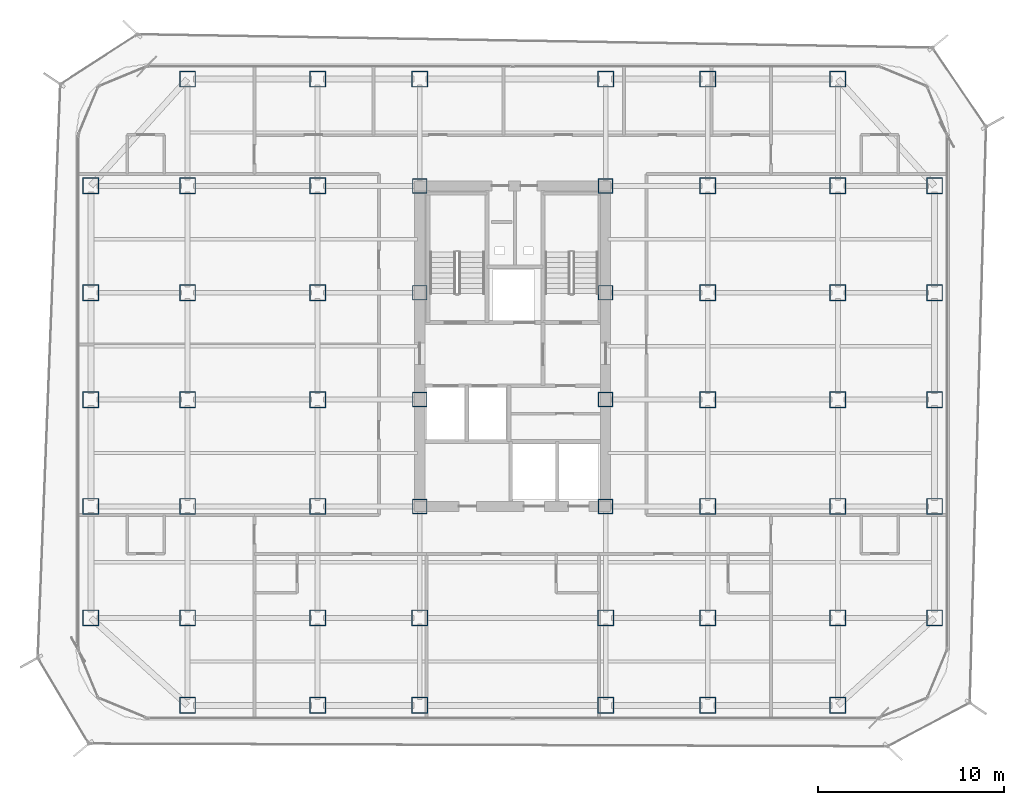
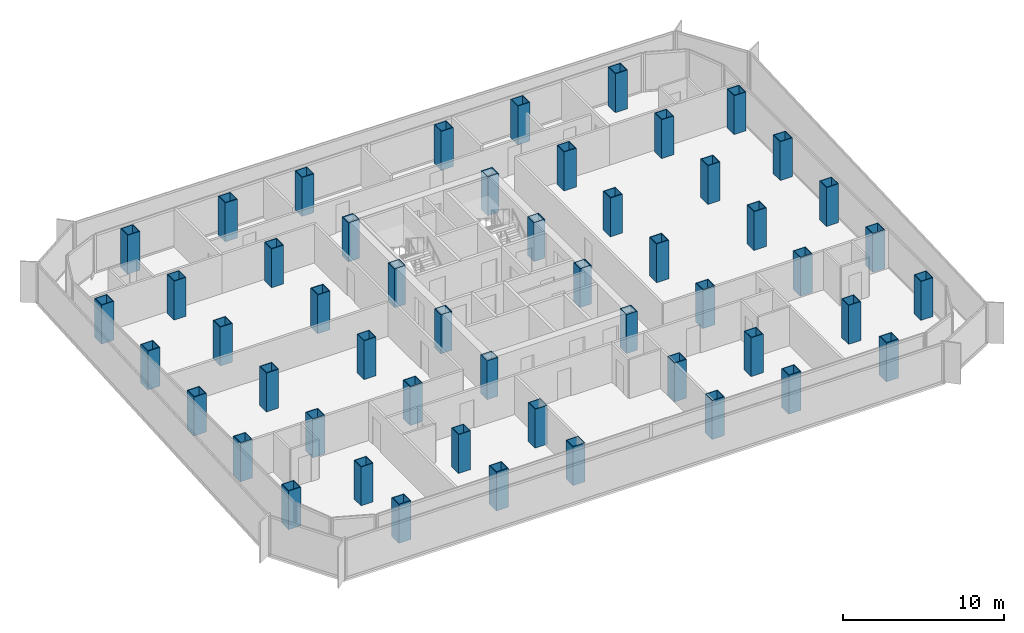
# One storey, part 1 of 21: 52 columns.
"""IFC4 building model written with IfcOpenShell, lengths in metres."""

from ifc_helpers import new_model, si_unit, direction, frame, origin, origin_2d, place, context, subcontext, project, spatial, hollow_rectangle, extrude, source, transform, mapped, material, material_profile, profile_set, type_object, element, save


model = new_model("IFC4")

# Units and contexts
model_context = context("Model", 3, precision=1e-05, world=origin(), true_north=direction((0.0, 1.0)))
body_context = subcontext(model_context, "Body", "Model", "MODEL_VIEW")
ifc_project = project(units=[si_unit("LENGTHUNIT", "METRE"), si_unit("AREAUNIT", "SQUARE_METRE"), si_unit("VOLUMEUNIT", "CUBIC_METRE"), si_unit("PLANEANGLEUNIT", "RADIAN"), si_unit("MASSUNIT", "GRAM", prefix="KILO")], contexts=[model_context])

# Site, building, storey
site_placement = place(None, origin())
site = spatial("IfcSite", under=ifc_project, at=site_placement, CompositionType="ELEMENT")
building_placement = place(site_placement, origin())
building = spatial("IfcBuilding", under=site, at=building_placement, Name="Kolveth Station Tower", CompositionType="ELEMENT")
storey_placement = place(building_placement, frame((0.0, 0.0, 124.699951171875)))
storey = spatial("IfcBuildingStorey", under=building, at=storey_placement, Name="L34", CompositionType="ELEMENT", Elevation=124.699951171875)

# Columns
ifc_material_1 = material(Name="Steel S460", Category="steel")
ifc_material_profile_1 = material_profile(ifc_material_1, hollow_rectangle(XDim=0.8798828125, YDim=0.8798828125, WallThickness=0.050048828125, at=origin_2d()), Name="BOX880x880x50")
ifc_profile_set_1 = profile_set([ifc_material_profile_1], Name="Steel S460")
column_type_1 = type_object("IfcColumnType", Name="Col_C4", PredefinedType="COLUMN", material=ifc_profile_set_1)
shared_shape_1 = source(origin(), body_context, "Body", "SweptSolid", [
    extrude(hollow_rectangle(XDim=0.8798828125, YDim=0.8798828125, WallThickness=0.050048828125, at=origin_2d()), origin(), (0.0, 0.0, 1.0), 2.949951171875),
])
for number, where, z_axis, x_axis, name in (
    (1, (6.0, 0.800048828125, 0.0), (0.0, 0.0, 1.0), (1.0, 0.0, 0.0), "L34 Tower Column S-X60"),
    (2, (6.0, 34.5, 0.0), (0.0, 0.0, 1.0), (1.0, 0.0, 0.0), "L34 Tower Column N-X60"),
    (3, (13.0, 0.800048828125, 0.0), (0.0, 0.0, 1.0), (1.0, 0.0, 0.0), "L34 Tower Column S-X130"),
    (4, (13.0, 34.5, 0.0), (0.0, 0.0, 1.0), (1.0, 0.0, 0.0), "L34 Tower Column N-X130"),
    (5, (18.5, 0.800048828125, 0.0), (0.0, 0.0, 1.0), (1.0, 0.0, 0.0), "L34 Tower Column S-X185"),
    (6, (18.5, 34.5, 0.0), (0.0, 0.0, 1.0), (1.0, 0.0, 0.0), "L34 Tower Column N-X185"),
    (7, (28.5, 0.800048828125, 0.0), (0.0, 0.0, 1.0), (1.0, 0.0, 0.0), "L34 Tower Column S-X285"),
    (8, (28.5, 34.5, 0.0), (0.0, 0.0, 1.0), (1.0, 0.0, 0.0), "L34 Tower Column N-X285"),
    (9, (34.0, 0.800048828125, 0.0), (0.0, 0.0, 1.0), (1.0, 0.0, 0.0), "L34 Tower Column S-X340"),
    (10, (34.0, 34.5, 0.0), (0.0, 0.0, 1.0), (1.0, 0.0, 0.0), "L34 Tower Column N-X340"),
    (11, (41.0, 0.800048828125, 0.0), (0.0, 0.0, 1.0), (1.0, 0.0, 0.0), "L34 Tower Column S-X410"),
    (12, (41.0, 34.5, 0.0), (0.0, 0.0, 1.0), (1.0, 0.0, 0.0), "L34 Tower Column N-X410"),
    (13, (0.800048828125, 5.5, 0.0), (0.0, 0.0, 1.0), (1.0, 0.0, 0.0), "L34 Tower Column W-Y55"),
    (14, (46.199951171875, 5.5, 0.0), (0.0, 0.0, 1.0), (1.0, 0.0, 0.0), "L34 Tower Column E-Y55"),
    (15, (0.800048828125, 11.5, 0.0), (0.0, 0.0, 1.0), (1.0, 0.0, 0.0), "L34 Tower Column W-Y115"),
    (16, (46.199951171875, 11.5, 0.0), (0.0, 0.0, 1.0), (1.0, 0.0, 0.0), "L34 Tower Column E-Y115"),
    (17, (0.800048828125, 17.25, 0.0), (0.0, 0.0, 1.0), (1.0, 0.0, 0.0), "L34 Tower Column W-Y172"),
    (18, (46.199951171875, 17.25, 0.0), (0.0, 0.0, 1.0), (1.0, 0.0, 0.0), "L34 Tower Column E-Y172"),
    (19, (0.800048828125, 23.0, 0.0), (0.0, 0.0, 1.0), (1.0, 0.0, 0.0), "L34 Tower Column W-Y230"),
    (20, (46.199951171875, 23.0, 0.0), (0.0, 0.0, 1.0), (1.0, 0.0, 0.0), "L34 Tower Column E-Y230"),
    (21, (0.800048828125, 28.75, 0.0), (0.0, 0.0, 1.0), (1.0, 0.0, 0.0), "L34 Tower Column W-Y287"),
    (22, (46.199951171875, 28.75, 0.0), (0.0, 0.0, 1.0), (1.0, 0.0, 0.0), "L34 Tower Column E-Y287"),
    (23, (6.0, 5.5, 0.0), (0.0, 0.0, 1.0), (1.0, 0.0, 0.0), "L34 Tower Column G-60-55"),
    (24, (6.0, 11.5, 0.0), (0.0, 0.0, 1.0), (1.0, 0.0, 0.0), "L34 Tower Column G-60-115"),
    (25, (6.0, 17.25, 0.0), (0.0, 0.0, 1.0), (1.0, 0.0, 0.0), "L34 Tower Column G-60-172"),
    (26, (6.0, 23.0, 0.0), (0.0, 0.0, 1.0), (1.0, 0.0, 0.0), "L34 Tower Column G-60-230"),
    (27, (6.0, 28.75, 0.0), (0.0, 0.0, 1.0), (1.0, 0.0, 0.0), "L34 Tower Column G-60-287"),
    (28, (13.0, 5.5, 0.0), (0.0, 0.0, 1.0), (1.0, 0.0, 0.0), "L34 Tower Column G-130-55"),
    (29, (13.0, 11.5, 0.0), (0.0, 0.0, 1.0), (1.0, 0.0, 0.0), "L34 Tower Column G-130-115"),
    (30, (13.0, 17.25, 0.0), (0.0, 0.0, 1.0), (1.0, 0.0, 0.0), "L34 Tower Column G-130-172"),
    (31, (13.0, 23.0, 0.0), (0.0, 0.0, 1.0), (1.0, 0.0, 0.0), "L34 Tower Column G-130-230"),
    (32, (13.0, 28.75, 0.0), (0.0, 0.0, 1.0), (1.0, 0.0, 0.0), "L34 Tower Column G-130-287"),
    (33, (18.5, 5.5, 0.0), (0.0, 0.0, 1.0), (1.0, 0.0, 0.0), "L34 Tower Column G-185-55"),
    (34, (28.5, 5.5, 0.0), (0.0, 0.0, 1.0), (1.0, 0.0, 0.0), "L34 Tower Column G-285-55"),
    (35, (34.0, 5.5, 0.0), (0.0, 0.0, 1.0), (1.0, 0.0, 0.0), "L34 Tower Column G-340-55"),
    (36, (34.0, 11.5, 0.0), (0.0, 0.0, 1.0), (1.0, 0.0, 0.0), "L34 Tower Column G-340-115"),
    (37, (34.0, 17.25, 0.0), (0.0, 0.0, 1.0), (1.0, 0.0, 0.0), "L34 Tower Column G-340-172"),
    (38, (34.0, 23.0, 0.0), (0.0, 0.0, 1.0), (1.0, 0.0, 0.0), "L34 Tower Column G-340-230"),
    (39, (34.0, 28.75, 0.0), (0.0, 0.0, 1.0), (1.0, 0.0, 0.0), "L34 Tower Column G-340-287"),
    (40, (41.0, 5.5, 0.0), (0.0, 0.0, 1.0), (1.0, 0.0, 0.0), "L34 Tower Column G-410-55"),
    (41, (41.0, 11.5, 0.0), (0.0, 0.0, 1.0), (1.0, 0.0, 0.0), "L34 Tower Column G-410-115"),
    (42, (41.0, 17.25, 0.0), (0.0, 0.0, 1.0), (1.0, 0.0, 0.0), "L34 Tower Column G-410-172"),
    (43, (41.0, 23.0, 0.0), (0.0, 0.0, 1.0), (1.0, 0.0, 0.0), "L34 Tower Column G-410-230"),
    (44, (41.0, 28.75, 0.0), (0.0, 0.0, 1.0), (1.0, 0.0, 0.0), "L34 Tower Column G-410-287"),
):
    element("IfcColumn", number, at=place(storey_placement, frame(where, z_axis=z_axis, x_axis=x_axis)), inside=storey, type_object=column_type_1, Name=name, PredefinedType="COLUMN", context=body_context, shape_type="MappedRepresentation", body=[
        mapped(shared_shape_1, transform((0.0, 0.0, 0.0), x_axis=(1.0, 0.0, 0.0), y_axis=(0.0, 1.0, 0.0), z_axis=(0.0, 0.0, 1.0), scale=1.0)),
    ])
ifc_material_2 = material(Name="Steel S355", Category="steel")
ifc_material_profile_2 = material_profile(ifc_material_2, hollow_rectangle(XDim=0.800048828125, YDim=0.800048828125, WallThickness=0.044921875, at=origin_2d()), Name="BOX800x800x45")
ifc_profile_set_2 = profile_set([ifc_material_profile_2], Name="Steel S355")
column_type_2 = type_object("IfcColumnType", Name="Col_C5", PredefinedType="COLUMN", material=ifc_profile_set_2)
shared_shape_2 = source(origin(), body_context, "Body", "SweptSolid", [
    extrude(hollow_rectangle(XDim=0.800048828125, YDim=0.800048828125, WallThickness=0.044921875, at=origin_2d()), origin(), (0.0, 0.0, 1.0), 2.949951171875),
])
for number, where, z_axis, x_axis, name in (
    (45, (18.5, 11.5, 0.0), (0.0, 0.0, 1.0), (1.0, 0.0, 0.0), "L34 Tower Column G-185-115"),
    (46, (18.5, 17.25, 0.0), (0.0, 0.0, 1.0), (1.0, 0.0, 0.0), "L34 Tower Column G-185-172"),
    (47, (18.5, 23.0, 0.0), (0.0, 0.0, 1.0), (1.0, 0.0, 0.0), "L34 Tower Column G-185-230"),
    (48, (18.5, 28.75, 0.0), (0.0, 0.0, 1.0), (1.0, 0.0, 0.0), "L34 Tower Column G-185-287"),
    (49, (28.5, 11.5, 0.0), (0.0, 0.0, 1.0), (1.0, 0.0, 0.0), "L34 Tower Column G-285-115"),
    (50, (28.5, 17.25, 0.0), (0.0, 0.0, 1.0), (1.0, 0.0, 0.0), "L34 Tower Column G-285-172"),
    (51, (28.5, 23.0, 0.0), (0.0, 0.0, 1.0), (1.0, 0.0, 0.0), "L34 Tower Column G-285-230"),
    (52, (28.5, 28.75, 0.0), (0.0, 0.0, 1.0), (1.0, 0.0, 0.0), "L34 Tower Column G-285-287"),
):
    element("IfcColumn", number, at=place(storey_placement, frame(where, z_axis=z_axis, x_axis=x_axis)), inside=storey, type_object=column_type_2, Name=name, PredefinedType="COLUMN", context=body_context, shape_type="MappedRepresentation", body=[
        mapped(shared_shape_2, transform((0.0, 0.0, 0.0), x_axis=(1.0, 0.0, 0.0), y_axis=(0.0, 1.0, 0.0), z_axis=(0.0, 0.0, 1.0), scale=1.0)),
    ])

save(model, "model.ifc")
